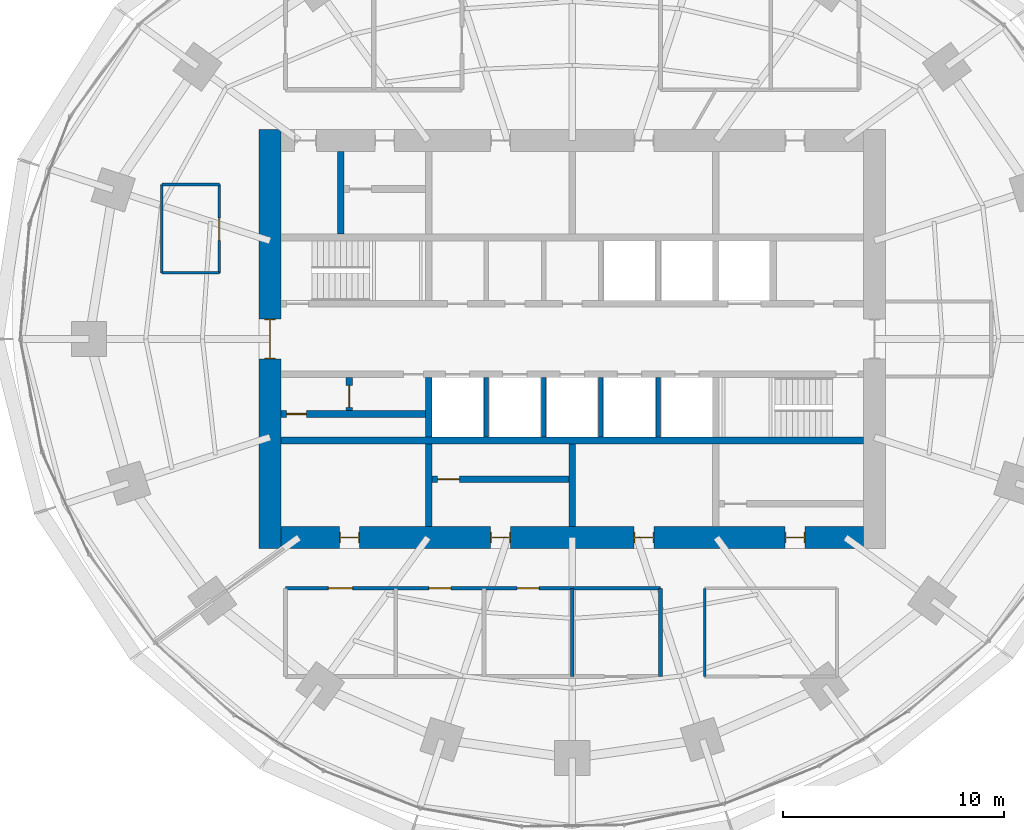
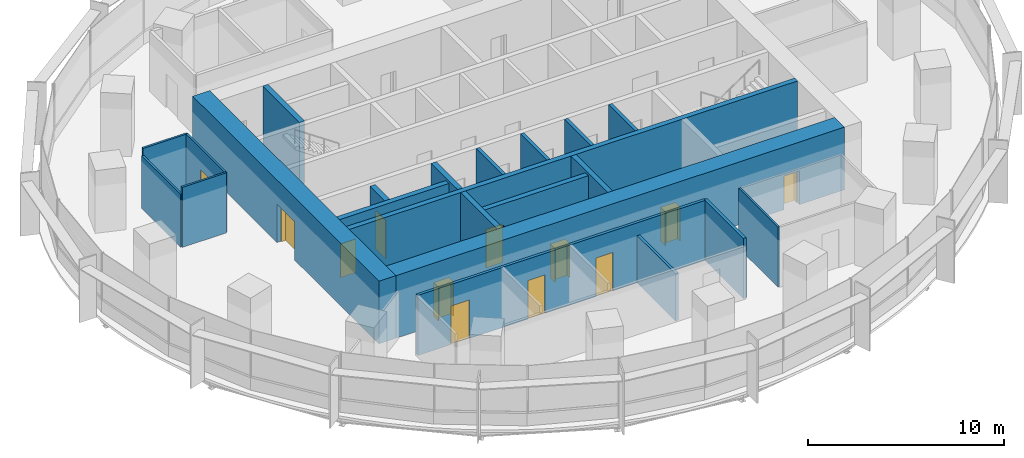
# One storey, part 10 of 14: 22 walls, 12 doors, 12 openings.
"""IFC4 building model written with IfcOpenShell, lengths in metres."""

from ifc_helpers import new_model, si_unit, direction, frame, frame_2d, origin, place, context, subcontext, project, spatial, rectangle, extrude, material, layer, layer_set, type_object, element, fill, save


model = new_model("IFC4")

# Units and contexts
model_context = context("Model", 3, precision=1e-05, world=origin(), true_north=direction((0.0, 1.0)))
body_context = subcontext(model_context, "Body", "Model", "MODEL_VIEW")
ifc_project = project(units=[si_unit("LENGTHUNIT", "METRE"), si_unit("AREAUNIT", "SQUARE_METRE"), si_unit("VOLUMEUNIT", "CUBIC_METRE"), si_unit("PLANEANGLEUNIT", "RADIAN"), si_unit("MASSUNIT", "GRAM", prefix="KILO")], contexts=[model_context])

# Site, building, storey
site_placement = place(None, origin())
site = spatial("IfcSite", under=ifc_project, at=site_placement, CompositionType="ELEMENT")
building_placement = place(site_placement, origin())
building = spatial("IfcBuilding", under=site, at=building_placement, Name="Marramba Exchange Tower", CompositionType="ELEMENT")
storey_placement = place(building_placement, frame((0.0, 0.0, 139.199951171875)))
storey = spatial("IfcBuildingStorey", under=building, at=storey_placement, Name="L33", CompositionType="ELEMENT", Elevation=139.199951171875)

# Wall, openings, doors
ifc_material_1 = material(Name="Plasterboard on staggered double steel studs, acoustic insulation", Category="steel")
ifc_layer_1 = layer(ifc_material_1, 0.169921875)
ifc_layer_set_1 = layer_set([ifc_layer_1], Name="Acoustic partition 170")
wall_type_1 = type_object("IfcWallType", Name="Acoustic partition 170", PredefinedType="PARTITIONING", material=ifc_layer_set_1)
wall_1_placement = place(storey_placement, frame((-13.0, -11.300048828125, 0.0), z_axis=(0.0, 0.0, 1.0), x_axis=(1.0, 0.0, 0.0)))
wall_1 = element("IfcWall", 1, at=wall_1_placement, inside=storey, type_object=wall_type_1, Name="Acoustic partition L33 04", PredefinedType="PARTITIONING", context=body_context, shape_type="SweptSolid", body=[
    extrude(rectangle(XDim=17.0, YDim=0.169921875, at=frame_2d((8.5, 0.0))), origin(), (0.0, 0.0, 1.0), 3.739990234375),
])
opening_1_placement = place(wall_1_placement, frame((1.949951171875, 0.0, 0.0)))
opening_1 = element("IfcOpeningElement", 2, at=opening_1_placement, cuts=wall_1, Name="Opening D15", PredefinedType="OPENING", context=body_context, shape_type="SweptSolid", body=[
    extrude(rectangle(XDim=1.10009765625, YDim=2.39990234375, at=frame_2d((0.550048828125, 1.199951171875))), frame((0.0, 0.094970703125, 0.0), z_axis=(0.0, -1.0, 0.0), x_axis=(1.0, 0.0, 0.0)), (0.0, 0.0, 1.0), 0.18994140625),
])
opening_2_placement = place(wall_1_placement, frame((6.5, 0.0, 0.0)))
opening_2 = element("IfcOpeningElement", 3, at=opening_2_placement, cuts=wall_1, Name="Opening D9", PredefinedType="OPENING", context=body_context, shape_type="SweptSolid", body=[
    extrude(rectangle(XDim=1.0, YDim=2.39990234375, at=frame_2d((0.5, 1.199951171875))), frame((0.0, 0.094970703125, 0.0), z_axis=(0.0, -1.0, 0.0), x_axis=(1.0, 0.0, 0.0)), (0.0, 0.0, 1.0), 0.18994140625),
])
opening_3_placement = place(wall_1_placement, frame((10.5, 0.0, 0.0)))
opening_3 = element("IfcOpeningElement", 4, at=opening_3_placement, cuts=wall_1, Name="Opening D9", PredefinedType="OPENING", context=body_context, shape_type="SweptSolid", body=[
    extrude(rectangle(XDim=1.0, YDim=2.39990234375, at=frame_2d((0.5, 1.199951171875))), frame((0.0, 0.094970703125, 0.0), z_axis=(0.0, -1.0, 0.0), x_axis=(1.0, 0.0, 0.0)), (0.0, 0.0, 1.0), 0.18994140625),
])
ifc_material_2 = material(Name="Timber door", Category="wood")
door_type_1 = type_object("IfcDoorType", Name="Glazed meeting room door 1100x2400", OperationType="SINGLE_SWING_LEFT", PredefinedType="DOOR", material=ifc_material_2)
door_1_placement = place(opening_1_placement, frame((1.10009765625, 0.0, 0.0), z_axis=(0.0, 0.0, 1.0), x_axis=(-1.0, 0.0, 0.0)))
door_1 = element("IfcDoor", 5, at=door_1_placement, inside=storey, type_object=door_type_1, Name="D15 Meeting Room 3 L33", OperationType="SINGLE_SWING_RIGHT", OverallHeight=2.39990234375, OverallWidth=1.10009765625, PredefinedType="DOOR", context=body_context, shape_type="SweptSolid", body=[
    extrude(rectangle(XDim=1.10009765625, YDim=2.39990234375, at=frame_2d((0.550048828125, 1.199951171875))), frame((0.0, 0.025146484375, 0.0), z_axis=(0.0, -1.0, 0.0), x_axis=(1.0, 0.0, 0.0)), (0.0, 0.0, 1.0), 0.050048828125),
])
fill(opening_1, door_1)
door_type_2 = type_object("IfcDoorType", Name="Room door 1000x2400", OperationType="SINGLE_SWING_LEFT", PredefinedType="DOOR", material=ifc_material_2)
door_2_placement = place(opening_2_placement, frame((1.0, 0.0, 0.0), z_axis=(0.0, 0.0, 1.0), x_axis=(-1.0, 0.0, 0.0)))
door_2 = element("IfcDoor", 6, at=door_2_placement, inside=storey, type_object=door_type_2, Name="D9 Quiet Room 1 L33", OperationType="SINGLE_SWING_RIGHT", OverallHeight=2.39990234375, OverallWidth=1.0, PredefinedType="DOOR", context=body_context, shape_type="SweptSolid", body=[
    extrude(rectangle(XDim=1.0, YDim=2.39990234375, at=frame_2d((0.5, 1.199951171875))), frame((0.0, 0.025146484375, 0.0), z_axis=(0.0, -1.0, 0.0), x_axis=(1.0, 0.0, 0.0)), (0.0, 0.0, 1.0), 0.050048828125),
])
fill(opening_2, door_2)
door_3_placement = place(opening_3_placement, frame((1.0, 0.0, 0.0), z_axis=(0.0, 0.0, 1.0), x_axis=(-1.0, 0.0, 0.0)))
door_3 = element("IfcDoor", 7, at=door_3_placement, inside=storey, type_object=door_type_2, Name="D9 Quiet Room 2 L33", OperationType="SINGLE_SWING_RIGHT", OverallHeight=2.39990234375, OverallWidth=1.0, PredefinedType="DOOR", context=body_context, shape_type="SweptSolid", body=[
    extrude(rectangle(XDim=1.0, YDim=2.39990234375, at=frame_2d((0.5, 1.199951171875))), frame((0.0, 0.025146484375, 0.0), z_axis=(0.0, -1.0, 0.0), x_axis=(1.0, 0.0, 0.0)), (0.0, 0.0, 1.0), 0.050048828125),
])
fill(opening_3, door_3)

# Walls
wall_2_placement = place(storey_placement, frame((0.0, -11.300048828125, 0.0), z_axis=(0.0, 0.0, 1.0), x_axis=(0.0, -1.0, 0.0)))
element("IfcWall", 8, at=wall_2_placement, inside=storey, type_object=wall_type_1, Name="Acoustic partition L33 07", PredefinedType="PARTITIONING", context=body_context, shape_type="SweptSolid", body=[
    extrude(rectangle(XDim=4.0, YDim=0.169921875, at=frame_2d((2.0, 0.0))), origin(), (0.0, 0.0, 1.0), 2.93994140625),
])
wall_3_placement = place(storey_placement, frame((4.0, -11.300048828125, 0.0), z_axis=(0.0, 0.0, 1.0), x_axis=(0.0, -1.0, 0.0)))
element("IfcWall", 9, at=wall_3_placement, inside=storey, type_object=wall_type_1, Name="Acoustic partition L33 08", PredefinedType="PARTITIONING", context=body_context, shape_type="SweptSolid", body=[
    extrude(rectangle(XDim=4.0, YDim=0.169921875, at=frame_2d((2.0, 0.0))), origin(), (0.0, 0.0, 1.0), 3.739990234375),
])
ifc_material_3 = material(Name="Concrete N50", Category="concrete")
ifc_layer_2 = layer(ifc_material_3, 0.199951171875)
ifc_layer_set_2 = layer_set([ifc_layer_2], Name="Core shaft wall 200")
wall_type_2 = type_object("IfcWallType", Name="Core shaft wall 200", PredefinedType="SHEAR", material=ifc_layer_set_2)
for number, where, z_axis, x_axis, name in (
    (10, (-3.89990234375, -1.75, 0.0), (0.0, 0.0, 1.0), (0.0, -1.0, 0.0), "Core wall SHS1 L33"),
    (11, (-1.300048828125, -1.75, 0.0), (0.0, 0.0, 1.0), (0.0, -1.0, 0.0), "Core wall SHS2 L33"),
    (12, (1.300048828125, -1.75, 0.0), (0.0, 0.0, 1.0), (0.0, -1.0, 0.0), "Core wall SHS3 L33"),
    (13, (3.89990234375, -1.75, 0.0), (0.0, 0.0, 1.0), (0.0, -1.0, 0.0), "Core wall SHS4 L33"),
):
    element("IfcWall", number, at=place(storey_placement, frame(where, z_axis=z_axis, x_axis=x_axis)), inside=storey, type_object=wall_type_2, Name=name, PredefinedType="SHEAR", context=body_context, shape_type="SweptSolid", body=[
        extrude(rectangle(XDim=2.699951171875, YDim=0.199951171875, at=frame_2d((1.35009765625, 0.0))), origin(), (0.0, 0.0, 1.0), 3.900146484375),
    ])

# Wall, openings, doors
ifc_layer_3 = layer(ifc_material_3, 1.0)
ifc_layer_set_3 = layer_set([ifc_layer_3], Name="Core wall 1000")
wall_type_3 = type_object("IfcWallType", Name="Core wall 1000", PredefinedType="SHEAR", material=ifc_layer_set_3)
wall_4_placement = place(storey_placement, frame((-13.199951171875, -9.0, 0.0), z_axis=(0.0, 0.0, 1.0), x_axis=(1.0, 0.0, 0.0)))
wall_4 = element("IfcWall", 14, at=wall_4_placement, inside=storey, type_object=wall_type_3, Name="Core wall S L33", PredefinedType="SHEAR", context=body_context, shape_type="SweptSolid", body=[
    extrude(rectangle(XDim=26.39990234375, YDim=1.0, at=frame_2d((13.199951171875, 0.0))), origin(), (0.0, 0.0, 1.0), 3.900146484375),
])
opening_4_placement = place(wall_4_placement, frame((2.64990234375, 0.0, 0.0)))
opening_4 = element("IfcOpeningElement", 15, at=opening_4_placement, cuts=wall_4, Name="Opening D5", PredefinedType="OPENING", context=body_context, shape_type="SweptSolid", body=[
    extrude(rectangle(XDim=0.89990234375, YDim=2.10009765625, at=frame_2d((0.449951171875, 1.050048828125))), frame((0.0, 0.510009765625, 0.0), z_axis=(0.0, -1.0, 0.0), x_axis=(1.0, 0.0, 0.0)), (0.0, 0.0, 1.0), 1.02001953125),
])
opening_5_placement = place(wall_4_placement, frame((9.5, 0.0, 0.0)))
opening_5 = element("IfcOpeningElement", 16, at=opening_5_placement, cuts=wall_4, Name="Opening D5", PredefinedType="OPENING", context=body_context, shape_type="SweptSolid", body=[
    extrude(rectangle(XDim=0.89990234375, YDim=2.10009765625, at=frame_2d((0.449951171875, 1.050048828125))), frame((0.0, 0.510009765625, 0.0), z_axis=(0.0, -1.0, 0.0), x_axis=(1.0, 0.0, 0.0)), (0.0, 0.0, 1.0), 1.02001953125),
])
opening_6_placement = place(wall_4_placement, frame((16.0, 0.0, 0.0)))
opening_6 = element("IfcOpeningElement", 17, at=opening_6_placement, cuts=wall_4, Name="Opening D5", PredefinedType="OPENING", context=body_context, shape_type="SweptSolid", body=[
    extrude(rectangle(XDim=0.89990234375, YDim=2.10009765625, at=frame_2d((0.449951171875, 1.050048828125))), frame((0.0, 0.510009765625, 0.0), z_axis=(0.0, -1.0, 0.0), x_axis=(1.0, 0.0, 0.0)), (0.0, 0.0, 1.0), 1.02001953125),
])
opening_7_placement = place(wall_4_placement, frame((22.85009765625, 0.0, 0.0)))
opening_7 = element("IfcOpeningElement", 18, at=opening_7_placement, cuts=wall_4, Name="Opening D5", PredefinedType="OPENING", context=body_context, shape_type="SweptSolid", body=[
    extrude(rectangle(XDim=0.89990234375, YDim=2.10009765625, at=frame_2d((0.449951171875, 1.050048828125))), frame((0.0, 0.510009765625, 0.0), z_axis=(0.0, -1.0, 0.0), x_axis=(1.0, 0.0, 0.0)), (0.0, 0.0, 1.0), 1.02001953125),
])
ifc_material_4 = material(Name="Steel-framed door", Category="steel")
door_type_3 = type_object("IfcDoorType", Name="Service door 900x2100", OperationType="SINGLE_SWING_LEFT", PredefinedType="DOOR", material=ifc_material_4)
door_4_placement = place(opening_4_placement, origin())
door_4 = element("IfcDoor", 19, at=door_4_placement, inside=storey, type_object=door_type_3, Name="D5 ahu L33", OperationType="SINGLE_SWING_LEFT", OverallHeight=2.10009765625, OverallWidth=0.89990234375, PredefinedType="DOOR", context=body_context, shape_type="SweptSolid", body=[
    extrude(rectangle(XDim=0.81982421875, YDim=2.06005859375, at=frame_2d((0.449951171875, 1.030029296875))), frame((0.0, 0.02490234375, 0.0), z_axis=(0.0, -1.0, 0.0), x_axis=(1.0, 0.0, 0.0)), (0.0, 0.0, 1.0), 0.050048828125),
    extrude(rectangle(XDim=0.04, YDim=2.10009765625, at=frame_2d((0.02001953125, 1.050048828125))), frame((0.0, 0.25, 0.0), z_axis=(0.0, -1.0, 0.0), x_axis=(1.0, 0.0, 0.0)), (0.0, 0.0, 1.0), 0.5),
    extrude(rectangle(XDim=0.04, YDim=2.10009765625, at=frame_2d((0.8798828125, 1.050048828125))), frame((0.0, 0.25, 0.0), z_axis=(0.0, -1.0, 0.0), x_axis=(1.0, 0.0, 0.0)), (0.0, 0.0, 1.0), 0.5),
    extrude(rectangle(XDim=0.81982421875, YDim=0.04, at=frame_2d((0.449951171875, 2.080078125))), frame((0.0, 0.25, 0.0), z_axis=(0.0, -1.0, 0.0), x_axis=(1.0, 0.0, 0.0)), (0.0, 0.0, 1.0), 0.5),
])
fill(opening_4, door_4)
door_5_placement = place(opening_5_placement, origin())
door_5 = element("IfcDoor", 20, at=door_5_placement, inside=storey, type_object=door_type_3, Name="D5 store L33", OperationType="SINGLE_SWING_RIGHT", OverallHeight=2.10009765625, OverallWidth=0.89990234375, PredefinedType="DOOR", context=body_context, shape_type="SweptSolid", body=[
    extrude(rectangle(XDim=0.81982421875, YDim=2.06005859375, at=frame_2d((0.449951171875, 1.030029296875))), frame((0.0, 0.02490234375, 0.0), z_axis=(0.0, -1.0, 0.0), x_axis=(1.0, 0.0, 0.0)), (0.0, 0.0, 1.0), 0.050048828125),
    extrude(rectangle(XDim=0.04, YDim=2.10009765625, at=frame_2d((0.02001953125, 1.050048828125))), frame((0.0, 0.25, 0.0), z_axis=(0.0, -1.0, 0.0), x_axis=(1.0, 0.0, 0.0)), (0.0, 0.0, 1.0), 0.5),
    extrude(rectangle(XDim=0.04, YDim=2.10009765625, at=frame_2d((0.8798828125, 1.050048828125))), frame((0.0, 0.25, 0.0), z_axis=(0.0, -1.0, 0.0), x_axis=(1.0, 0.0, 0.0)), (0.0, 0.0, 1.0), 0.5),
    extrude(rectangle(XDim=0.81982421875, YDim=0.04, at=frame_2d((0.449951171875, 2.080078125))), frame((0.0, 0.25, 0.0), z_axis=(0.0, -1.0, 0.0), x_axis=(1.0, 0.0, 0.0)), (0.0, 0.0, 1.0), 0.5),
])
fill(opening_5, door_5)
door_6_placement = place(opening_6_placement, origin())
door_6 = element("IfcDoor", 21, at=door_6_placement, inside=storey, type_object=door_type_3, Name="D5 switch L33", OperationType="SINGLE_SWING_RIGHT", OverallHeight=2.10009765625, OverallWidth=0.89990234375, PredefinedType="DOOR", context=body_context, shape_type="SweptSolid", body=[
    extrude(rectangle(XDim=0.81982421875, YDim=2.06005859375, at=frame_2d((0.449951171875, 1.030029296875))), frame((0.0, 0.02490234375, 0.0), z_axis=(0.0, -1.0, 0.0), x_axis=(1.0, 0.0, 0.0)), (0.0, 0.0, 1.0), 0.050048828125),
    extrude(rectangle(XDim=0.04, YDim=2.10009765625, at=frame_2d((0.02001953125, 1.050048828125))), frame((0.0, 0.25, 0.0), z_axis=(0.0, -1.0, 0.0), x_axis=(1.0, 0.0, 0.0)), (0.0, 0.0, 1.0), 0.5),
    extrude(rectangle(XDim=0.04, YDim=2.10009765625, at=frame_2d((0.8798828125, 1.050048828125))), frame((0.0, 0.25, 0.0), z_axis=(0.0, -1.0, 0.0), x_axis=(1.0, 0.0, 0.0)), (0.0, 0.0, 1.0), 0.5),
    extrude(rectangle(XDim=0.81982421875, YDim=0.04, at=frame_2d((0.449951171875, 2.080078125))), frame((0.0, 0.25, 0.0), z_axis=(0.0, -1.0, 0.0), x_axis=(1.0, 0.0, 0.0)), (0.0, 0.0, 1.0), 0.5),
])
fill(opening_6, door_6)
door_7_placement = place(opening_7_placement, origin())
door_7 = element("IfcDoor", 22, at=door_7_placement, inside=storey, type_object=door_type_3, Name="D5 cstore L33", OperationType="SINGLE_SWING_RIGHT", OverallHeight=2.10009765625, OverallWidth=0.89990234375, PredefinedType="DOOR", context=body_context, shape_type="SweptSolid", body=[
    extrude(rectangle(XDim=0.81982421875, YDim=2.06005859375, at=frame_2d((0.449951171875, 1.030029296875))), frame((0.0, 0.02490234375, 0.0), z_axis=(0.0, -1.0, 0.0), x_axis=(1.0, 0.0, 0.0)), (0.0, 0.0, 1.0), 0.050048828125),
    extrude(rectangle(XDim=0.04, YDim=2.10009765625, at=frame_2d((0.02001953125, 1.050048828125))), frame((0.0, 0.25, 0.0), z_axis=(0.0, -1.0, 0.0), x_axis=(1.0, 0.0, 0.0)), (0.0, 0.0, 1.0), 0.5),
    extrude(rectangle(XDim=0.04, YDim=2.10009765625, at=frame_2d((0.8798828125, 1.050048828125))), frame((0.0, 0.25, 0.0), z_axis=(0.0, -1.0, 0.0), x_axis=(1.0, 0.0, 0.0)), (0.0, 0.0, 1.0), 0.5),
    extrude(rectangle(XDim=0.81982421875, YDim=0.04, at=frame_2d((0.449951171875, 2.080078125))), frame((0.0, 0.25, 0.0), z_axis=(0.0, -1.0, 0.0), x_axis=(1.0, 0.0, 0.0)), (0.0, 0.0, 1.0), 0.5),
])
fill(opening_7, door_7)

# Wall, opening, door
wall_5_placement = place(storey_placement, frame((-13.699951171875, 9.5, 0.0), z_axis=(0.0, 0.0, 1.0), x_axis=(0.0, -1.0, 0.0)))
wall_5 = element("IfcWall", 23, at=wall_5_placement, inside=storey, type_object=wall_type_3, Name="Core wall W L33", PredefinedType="SHEAR", context=body_context, shape_type="SweptSolid", body=[
    extrude(rectangle(XDim=19.0, YDim=1.0, at=frame_2d((9.5, 0.0))), origin(), (0.0, 0.0, 1.0), 3.900146484375),
])
opening_8_placement = place(wall_5_placement, frame((8.60009765625, 0.0, 0.0)))
opening_8 = element("IfcOpeningElement", 24, at=opening_8_placement, cuts=wall_5, Name="Opening D1", PredefinedType="OPENING", context=body_context, shape_type="SweptSolid", body=[
    extrude(rectangle(XDim=1.800048828125, YDim=2.39990234375, at=frame_2d((0.89990234375, 1.199951171875))), frame((0.0, 0.510009765625, 0.0), z_axis=(0.0, -1.0, 0.0), x_axis=(1.0, 0.0, 0.0)), (0.0, 0.0, 1.0), 1.02001953125),
])
door_type_4 = type_object("IfcDoorType", Name="Lobby exit door 1800x2400", OperationType="DOUBLE_DOOR_SINGLE_SWING", PredefinedType="DOOR", material=ifc_material_4)
door_8_placement = place(opening_8_placement, origin())
door_8 = element("IfcDoor", 25, at=door_8_placement, inside=storey, type_object=door_type_4, Name="D1 lobby exit west L33", OperationType="DOUBLE_DOOR_SINGLE_SWING", OverallHeight=2.39990234375, OverallWidth=1.800048828125, PredefinedType="DOOR", context=body_context, shape_type="SweptSolid", body=[
    extrude(rectangle(XDim=1.719970703125, YDim=2.35986328125, at=frame_2d((0.89990234375, 1.179931640625))), frame((0.0, 0.02490234375, 0.0), z_axis=(0.0, -1.0, 0.0), x_axis=(1.0, 0.0, 0.0)), (0.0, 0.0, 1.0), 0.050048828125),
    extrude(rectangle(XDim=0.04, YDim=2.39990234375, at=frame_2d((0.02001953125, 1.199951171875))), frame((0.0, 0.25, 0.0), z_axis=(0.0, -1.0, 0.0), x_axis=(1.0, 0.0, 0.0)), (0.0, 0.0, 1.0), 0.5),
    extrude(rectangle(XDim=0.04, YDim=2.39990234375, at=frame_2d((1.780029296875, 1.199951171875))), frame((0.0, 0.25, 0.0), z_axis=(0.0, -1.0, 0.0), x_axis=(1.0, 0.0, 0.0)), (0.0, 0.0, 1.0), 0.5),
    extrude(rectangle(XDim=1.719970703125, YDim=0.04, at=frame_2d((0.89990234375, 2.3798828125))), frame((0.0, 0.25, 0.0), z_axis=(0.0, -1.0, 0.0), x_axis=(1.0, 0.0, 0.0)), (0.0, 0.0, 1.0), 0.5),
])
fill(opening_8, door_8)

# Walls
ifc_layer_4 = layer(ifc_material_3, 0.300048828125)
ifc_layer_set_4 = layer_set([ifc_layer_4], Name="Core wall 300")
wall_type_4 = type_object("IfcWallType", Name="Core wall 300", PredefinedType="SHEAR", material=ifc_layer_set_4)
wall_6_placement = place(storey_placement, frame((-13.199951171875, -4.60009765625, 0.0), z_axis=(0.0, 0.0, 1.0), x_axis=(1.0, 0.0, 0.0)))
element("IfcWall", 26, at=wall_6_placement, inside=storey, type_object=wall_type_4, Name="Core wall BS L33", PredefinedType="SHEAR", context=body_context, shape_type="SweptSolid", body=[
    extrude(rectangle(XDim=26.39990234375, YDim=0.300048828125, at=frame_2d((13.199951171875, 0.0))), origin(), (0.0, 0.0, 1.0), 3.900146484375),
])
wall_7_placement = place(storey_placement, frame((-6.5, -1.75, 0.0), z_axis=(0.0, 0.0, 1.0), x_axis=(0.0, -1.0, 0.0)))
element("IfcWall", 27, at=wall_7_placement, inside=storey, type_object=wall_type_4, Name="Core wall X0Sa L33", PredefinedType="SHEAR", context=body_context, shape_type="SweptSolid", body=[
    extrude(rectangle(XDim=2.699951171875, YDim=0.300048828125, at=frame_2d((1.35009765625, 0.0))), origin(), (0.0, 0.0, 1.0), 3.900146484375),
])
for number, where, z_axis, x_axis, name in (
    (28, (-6.5, -4.75, 0.0), (0.0, 0.0, 1.0), (0.0, -1.0, 0.0), "Core wall X0Sb L33"),
    (29, (0.0, -4.75, 0.0), (0.0, 0.0, 1.0), (0.0, -1.0, 0.0), "Core wall MS L33"),
    (30, (-10.5, 4.75, 0.0), (0.0, 0.0, 1.0), (0.0, 1.0, 0.0), "Core wall WD L33"),
):
    element("IfcWall", number, at=place(storey_placement, frame(where, z_axis=z_axis, x_axis=x_axis)), inside=storey, type_object=wall_type_4, Name=name, PredefinedType="SHEAR", context=body_context, shape_type="SweptSolid", body=[
        extrude(rectangle(XDim=3.75, YDim=0.300048828125, at=frame_2d((1.875, 0.0))), origin(), (0.0, 0.0, 1.0), 3.900146484375),
    ])
ifc_material_5 = material(Name="Plasterboard on steel studs", Category="steel")
ifc_layer_5 = layer(ifc_material_5, 0.1201171875)
ifc_layer_set_5 = layer_set([ifc_layer_5], Name="Partition 120")
wall_type_5 = type_object("IfcWallType", Name="Partition 120", PredefinedType="PARTITIONING", material=ifc_layer_set_5)
wall_8_placement = place(storey_placement, frame((6.0, -15.300048828125, 0.0), z_axis=(0.0, 0.0, 1.0), x_axis=(0.0, 1.0, 0.0)))
element("IfcWall", 31, at=wall_8_placement, inside=storey, type_object=wall_type_5, Name="Partition L33 09", PredefinedType="PARTITIONING", context=body_context, shape_type="SweptSolid", body=[
    extrude(rectangle(XDim=4.0, YDim=0.1201171875, at=frame_2d((2.0, 0.0))), origin(), (0.0, 0.0, 1.0), 3.739990234375),
])
wall_9_placement = place(storey_placement, frame((-18.60009765625, 7.0, 0.0), z_axis=(0.0, 0.0, 1.0), x_axis=(1.0, 0.0, 0.0)))
element("IfcWall", 32, at=wall_9_placement, inside=storey, type_object=wall_type_5, Name="Partition L33 28", PredefinedType="PARTITIONING", context=body_context, shape_type="SweptSolid", body=[
    extrude(rectangle(XDim=2.60009765625, YDim=0.1201171875, at=frame_2d((1.300048828125, 0.0))), origin(), (0.0, 0.0, 1.0), 3.739990234375),
])

# Wall, opening, door
wall_10_placement = place(storey_placement, frame((-16.0, 7.0, 0.0), z_axis=(0.0, 0.0, 1.0), x_axis=(0.0, -1.0, 0.0)))
wall_10 = element("IfcWall", 33, at=wall_10_placement, inside=storey, type_object=wall_type_5, Name="Partition L33 29", PredefinedType="PARTITIONING", context=body_context, shape_type="SweptSolid", body=[
    extrude(rectangle(XDim=4.0, YDim=0.1201171875, at=frame_2d((2.0, 0.0))), origin(), (0.0, 0.0, 1.0), 3.739990234375),
])
opening_9_placement = place(wall_10_placement, frame((1.52587890625, 0.0, 0.0)))
opening_9 = element("IfcOpeningElement", 34, at=opening_9_placement, cuts=wall_10, Name="Opening D9", PredefinedType="OPENING", context=body_context, shape_type="SweptSolid", body=[
    extrude(rectangle(XDim=1.0, YDim=2.39990234375, at=frame_2d((0.5, 1.199951171875))), frame((0.0, 0.070068359375, 0.0), z_axis=(0.0, -1.0, 0.0), x_axis=(1.0, 0.0, 0.0)), (0.0, 0.0, 1.0), 0.14013671875),
])
door_9_placement = place(opening_9_placement, frame((1.0, 0.0, 0.0), z_axis=(0.0, 0.0, 1.0), x_axis=(-1.0, 0.0, 0.0)))
door_9 = element("IfcDoor", 35, at=door_9_placement, inside=storey, type_object=door_type_2, Name="D9 Print Room L33", OperationType="SINGLE_SWING_LEFT", OverallHeight=2.39990234375, OverallWidth=1.0, PredefinedType="DOOR", context=body_context, shape_type="SweptSolid", body=[
    extrude(rectangle(XDim=1.0, YDim=2.39990234375, at=frame_2d((0.5, 1.199951171875))), frame((0.0, 0.025146484375, 0.0), z_axis=(0.0, -1.0, 0.0), x_axis=(1.0, 0.0, 0.0)), (0.0, 0.0, 1.0), 0.050048828125),
])
fill(opening_9, door_9)

# Walls
wall_11_placement = place(storey_placement, frame((-18.60009765625, 3.0, 0.0), z_axis=(0.0, 0.0, 1.0), x_axis=(0.0, 1.0, 0.0)))
element("IfcWall", 36, at=wall_11_placement, inside=storey, type_object=wall_type_5, Name="Partition L33 30", PredefinedType="PARTITIONING", context=body_context, shape_type="SweptSolid", body=[
    extrude(rectangle(XDim=4.0, YDim=0.1201171875, at=frame_2d((2.0, 0.0))), origin(), (0.0, 0.0, 1.0), 3.2861328125),
])
wall_12_placement = place(storey_placement, frame((-16.0, 3.0, 0.0), z_axis=(0.0, 0.0, 1.0), x_axis=(-1.0, 0.0, 0.0)))
element("IfcWall", 37, at=wall_12_placement, inside=storey, type_object=wall_type_5, Name="Partition L33 31", PredefinedType="PARTITIONING", context=body_context, shape_type="SweptSolid", body=[
    extrude(rectangle(XDim=2.60009765625, YDim=0.1201171875, at=frame_2d((1.300048828125, 0.0))), origin(), (0.0, 0.0, 1.0), 3.739990234375),
])

# Wall, opening, door
ifc_material_6 = material(Name="Core-filled concrete blockwork", Category="masonry")
ifc_layer_6 = layer(ifc_material_6, 0.300048828125)
ifc_layer_set_6 = layer_set([ifc_layer_6], Name="Riser enclosure wall 300")
wall_type_6 = type_object("IfcWallType", Name="Riser enclosure wall 300", PredefinedType="SOLIDWALL", material=ifc_layer_set_6)
wall_13_placement = place(storey_placement, frame((-13.199951171875, -3.39990234375, 0.0), z_axis=(0.0, 0.0, 1.0), x_axis=(1.0, 0.0, 0.0)))
wall_13 = element("IfcWall", 38, at=wall_13_placement, inside=storey, type_object=wall_type_6, Name="Riser enclosure wall L33", PredefinedType="SOLIDWALL", context=body_context, shape_type="SweptSolid", body=[
    extrude(rectangle(XDim=6.550048828125, YDim=0.300048828125, at=frame_2d((3.27490234375, 0.0))), origin(), (0.0, 0.0, 1.0), 3.739990234375),
])
opening_10_placement = place(wall_13_placement, frame((0.25, 0.0, 0.0)))
opening_10 = element("IfcOpeningElement", 39, at=opening_10_placement, cuts=wall_13, Name="Opening D5", PredefinedType="OPENING", context=body_context, shape_type="SweptSolid", body=[
    extrude(rectangle(XDim=0.89990234375, YDim=2.10009765625, at=frame_2d((0.449951171875, 1.050048828125))), frame((0.0, 0.159912109375, 0.0), z_axis=(0.0, -1.0, 0.0), x_axis=(1.0, 0.0, 0.0)), (0.0, 0.0, 1.0), 0.320068359375),
])
door_10_placement = place(opening_10_placement, origin())
door_10 = element("IfcDoor", 40, at=door_10_placement, inside=storey, type_object=door_type_3, Name="D5 electrical riser back L33", OperationType="SINGLE_SWING_LEFT", OverallHeight=2.10009765625, OverallWidth=0.89990234375, PredefinedType="DOOR", context=body_context, shape_type="SweptSolid", body=[
    extrude(rectangle(XDim=0.89990234375, YDim=2.10009765625, at=frame_2d((0.449951171875, 1.050048828125))), frame((0.0, 0.02490234375, 0.0), z_axis=(0.0, -1.0, 0.0), x_axis=(1.0, 0.0, 0.0)), (0.0, 0.0, 1.0), 0.050048828125),
])
fill(opening_10, door_10)

ifc_material_7 = material(Name="Plasterboard on steel studs, insulated, unrated", Category="steel")
ifc_layer_7 = layer(ifc_material_7, 0.300048828125)
ifc_layer_set_7 = layer_set([ifc_layer_7], Name="Store partition 300")
wall_type_7 = type_object("IfcWallType", Name="Store partition 300", PredefinedType="PARTITIONING", material=ifc_layer_set_7)
wall_14_placement = place(storey_placement, frame((-6.35009765625, -6.360107421875, 0.0), z_axis=(0.0, 0.0, 1.0), x_axis=(1.0, 0.0, 0.0)))
wall_14 = element("IfcWall", 41, at=wall_14_placement, inside=storey, type_object=wall_type_7, Name="Store partition L33 store", PredefinedType="PARTITIONING", context=body_context, shape_type="SweptSolid", body=[
    extrude(rectangle(XDim=6.2001953125, YDim=0.300048828125, at=frame_2d((3.10009765625, 0.0))), origin(), (0.0, 0.0, 1.0), 3.739990234375),
])
opening_11_placement = place(wall_14_placement, frame((0.25, 0.0, 0.0)))
opening_11 = element("IfcOpeningElement", 42, at=opening_11_placement, cuts=wall_14, Name="Opening D9", PredefinedType="OPENING", context=body_context, shape_type="SweptSolid", body=[
    extrude(rectangle(XDim=1.0, YDim=2.39990234375, at=frame_2d((0.5, 1.199951171875))), frame((0.0, 0.159912109375, 0.0), z_axis=(0.0, -1.0, 0.0), x_axis=(1.0, 0.0, 0.0)), (0.0, 0.0, 1.0), 0.320068359375),
])
door_11_placement = place(opening_11_placement, origin())
door_11 = element("IfcDoor", 43, at=door_11_placement, inside=storey, type_object=door_type_2, Name="D9 stationery store L33", OperationType="SINGLE_SWING_LEFT", OverallHeight=2.39990234375, OverallWidth=1.0, PredefinedType="DOOR", context=body_context, shape_type="SweptSolid", body=[
    extrude(rectangle(XDim=1.0, YDim=2.39990234375, at=frame_2d((0.5, 1.199951171875))), frame((0.0, 0.02490234375, 0.0), z_axis=(0.0, -1.0, 0.0), x_axis=(1.0, 0.0, 0.0)), (0.0, 0.0, 1.0), 0.050048828125),
])
fill(opening_11, door_11)

wall_15_placement = place(storey_placement, frame((-10.10009765625, -3.25, 0.0), z_axis=(0.0, 0.0, 1.0), x_axis=(0.0, 1.0, 0.0)))
wall_15 = element("IfcWall", 44, at=wall_15_placement, inside=storey, type_object=wall_type_7, Name="Store partition L33 tool store", PredefinedType="PARTITIONING", context=body_context, shape_type="SweptSolid", body=[
    extrude(rectangle(XDim=1.5, YDim=0.300048828125, at=frame_2d((0.75, 0.0))), origin(), (0.0, 0.0, 1.0), 3.739990234375),
])
opening_12_placement = place(wall_15_placement, frame((0.14990234375, 0.0, 0.0)))
opening_12 = element("IfcOpeningElement", 45, at=opening_12_placement, cuts=wall_15, Name="Opening D9", PredefinedType="OPENING", context=body_context, shape_type="SweptSolid", body=[
    extrude(rectangle(XDim=1.0, YDim=2.39990234375, at=frame_2d((0.5, 1.199951171875))), frame((0.0, 0.159912109375, 0.0), z_axis=(0.0, -1.0, 0.0), x_axis=(1.0, 0.0, 0.0)), (0.0, 0.0, 1.0), 0.320068359375),
])
door_12_placement = place(opening_12_placement, origin())
door_12 = element("IfcDoor", 46, at=door_12_placement, inside=storey, type_object=door_type_2, Name="D9 tool store L33", OperationType="SINGLE_SWING_LEFT", OverallHeight=2.39990234375, OverallWidth=1.0, PredefinedType="DOOR", context=body_context, shape_type="SweptSolid", body=[
    extrude(rectangle(XDim=1.0, YDim=2.39990234375, at=frame_2d((0.5, 1.199951171875))), frame((0.0, 0.02490234375, 0.0), z_axis=(0.0, -1.0, 0.0), x_axis=(1.0, 0.0, 0.0)), (0.0, 0.0, 1.0), 0.050048828125),
])
fill(opening_12, door_12)

save(model, "model.ifc")
